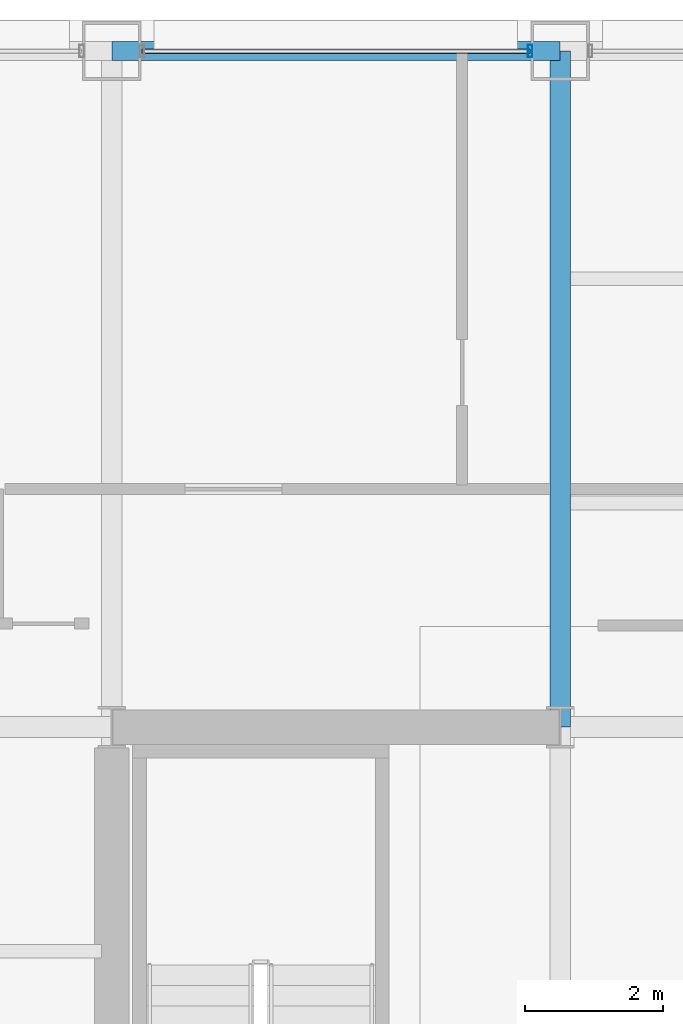
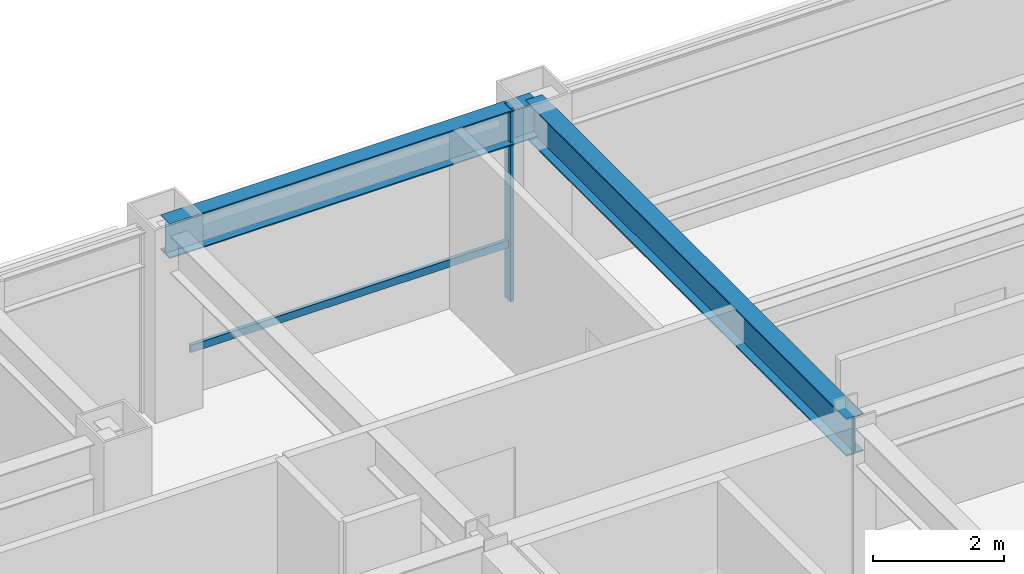
# One storey, part 19 of 31: 2 beams, 2 members, 1 element without a shape of its own.
"""IFC4 building model written with IfcOpenShell, lengths in metres."""

from ifc_helpers import new_model, si_unit, direction, frame, origin, origin_2d, place, context, subcontext, project, spatial, hollow_rectangle, i_section, extrude, material, layer, layer_set, material_profile, profile_set, type_object, element, aggregate, save


model = new_model("IFC4")

# Units and contexts
model_context = context("Model", 3, precision=1e-05, world=origin(), true_north=direction((0.0, 1.0)))
body_context = subcontext(model_context, "Body", "Model", "MODEL_VIEW")
ifc_project = project(units=[si_unit("LENGTHUNIT", "METRE"), si_unit("AREAUNIT", "SQUARE_METRE"), si_unit("VOLUMEUNIT", "CUBIC_METRE"), si_unit("PLANEANGLEUNIT", "RADIAN"), si_unit("MASSUNIT", "GRAM", prefix="KILO")], contexts=[model_context])

# Site, building, storey
site_placement = place(None, origin())
site = spatial("IfcSite", under=ifc_project, at=site_placement, CompositionType="ELEMENT")
building_placement = place(site_placement, origin())
building = spatial("IfcBuilding", under=site, at=building_placement, Name="Brelmoor Portico Tower", CompositionType="ELEMENT")
storey_placement = place(building_placement, frame((0.0, 0.0, 106.199951171875)))
storey = spatial("IfcBuildingStorey", under=building, at=storey_placement, Name="L27", CompositionType="ELEMENT", Elevation=106.199951171875)

# Beams
ifc_material_1 = material(Name="Steel Q355B", Category="steel")
ifc_material_profile_1 = material_profile(ifc_material_1, i_section(OverallWidth=0.300048828125, OverallDepth=0.699951171875, WebThickness=0.012939453125, FlangeThickness=0.02392578125, at=origin_2d()), Name="HN 700x300x13x24")
ifc_profile_set_1 = profile_set([ifc_material_profile_1], Name="Steel Q355B")
beam_type_1 = type_object("IfcBeamType", Name="BM-PG-700", PredefinedType="BEAM", material=ifc_profile_set_1)
beam_1_placement = place(storey_placement, frame((-8.050048828125, 9.75, 3.050048828125), z_axis=(0.0, 1.0, 0.0), x_axis=(-1.0, 0.0, 0.0)))
element("IfcBeam", 1, at=beam_1_placement, inside=storey, type_object=beam_type_1, Name="L27 Primary Floor Girder PG-07", PredefinedType="BEAM", context=body_context, shape_type="SweptSolid", body=[
    extrude(i_section(OverallWidth=0.300048828125, OverallDepth=0.699951171875, WebThickness=0.012939453125, FlangeThickness=0.02392578125, at=origin_2d()), origin(), (0.0, 0.0, 1.0), 9.800048828125),
])
ifc_material_profile_2 = material_profile(ifc_material_1, i_section(OverallWidth=0.280029296875, OverallDepth=0.64990234375, WebThickness=0.012939453125, FlangeThickness=0.02197265625, at=origin_2d()), Name="HN 650x280x13x22")
ifc_profile_set_2 = profile_set([ifc_material_profile_2], Name="Steel Q355B")
beam_type_2 = type_object("IfcBeamType", Name="BM-SP-650", PredefinedType="SPANDREL", material=ifc_profile_set_2)
beam_2_placement = place(storey_placement, frame((-14.550048828125, 19.550048828125, 3.074951171875), z_axis=(1.0, 0.0, 0.0), x_axis=(0.0, 1.0, 0.0)))
element("IfcBeam", 2, at=beam_2_placement, inside=storey, type_object=beam_type_2, Name="L27 Perimeter Spandrel Beam SP-11", PredefinedType="SPANDREL", context=body_context, shape_type="SweptSolid", body=[
    extrude(i_section(OverallWidth=0.280029296875, OverallDepth=0.64990234375, WebThickness=0.012939453125, FlangeThickness=0.02197265625, at=origin_2d()), origin(), (0.0, 0.0, 1.0), 6.5),
])

# Curtain wall, members
ifc_material_2 = material(Name="Anodised Aluminium Alloy 6063-T6", Category="aluminium")
ifc_layer = layer(ifc_material_2, 0.179931640625)
ifc_layer_set = layer_set([ifc_layer], Name="Anodised Aluminium Alloy 6063-T6")
curtain_wall_type = type_object("IfcCurtainWallType", Name="CW-TOWER-Z2", PredefinedType="NOTDEFINED", material=ifc_layer_set)
curtain_wall_placement = place(storey_placement, origin())
curtain_wall = element("IfcCurtainWall", 3, at=curtain_wall_placement, inside=storey, type_object=curtain_wall_type, Name="L27 Curtain Wall CW-L27-02-2", PredefinedType="NOTDEFINED")
ifc_material_profile_3 = material_profile(ifc_material_2, hollow_rectangle(XDim=0.06494140625, YDim=0.179931640625, WallThickness=0.00390625, at=origin_2d()), Name="ALU MULLION 65x180")
ifc_profile_set_3 = profile_set([ifc_material_profile_3], Name="Anodised Aluminium Alloy 6063-T6")
member_type_1 = type_object("IfcMemberType", Name="MB-CW-MULL-180", PredefinedType="MULLION", material=ifc_profile_set_3)
member_1_placement = place(storey_placement, frame((-8.485107421875, 19.550048828125, -0.199951171875), z_axis=(0.0, 0.0, 1.0), x_axis=(1.0, 0.0, 0.0)))
member_1 = element("IfcMember", 4, at=member_1_placement, type_object=member_type_1, Name="CW-L27-02-2 Mullion 01", PredefinedType="MULLION", context=body_context, shape_type="SweptSolid", body=[
    extrude(hollow_rectangle(XDim=0.06494140625, YDim=0.179931640625, WallThickness=0.00390625, at=origin_2d()), origin(), (0.0, 0.0, 1.0), 3.60009765625),
])
ifc_material_profile_4 = material_profile(ifc_material_2, hollow_rectangle(XDim=0.06494140625, YDim=0.139892578125, WallThickness=0.00390625, at=origin_2d()), Name="ALU TRANSOM 65x140")
ifc_profile_set_4 = profile_set([ifc_material_profile_4], Name="Anodised Aluminium Alloy 6063-T6")
member_type_2 = type_object("IfcMemberType", Name="MB-CW-TRAN-140", PredefinedType="USERDEFINED", material=ifc_profile_set_4)
member_2_placement = place(storey_placement, frame((-14.114990234375, 19.550048828125, 0.85009765625), z_axis=(1.0, 0.0, 0.0), x_axis=(0.0, 1.0, 0.0)))
member_2 = element("IfcMember", 5, at=member_2_placement, type_object=member_type_2, Name="CW-L27-02-2 Transom 1-00", ObjectType="TRANSOM", PredefinedType="USERDEFINED", context=body_context, shape_type="SweptSolid", body=[
    extrude(hollow_rectangle(XDim=0.06494140625, YDim=0.139892578125, WallThickness=0.00390625, at=origin_2d()), origin(), (0.0, 0.0, 1.0), 5.6298828125),
])
aggregate(curtain_wall, [member_1, member_2])

save(model, "model.ifc")
